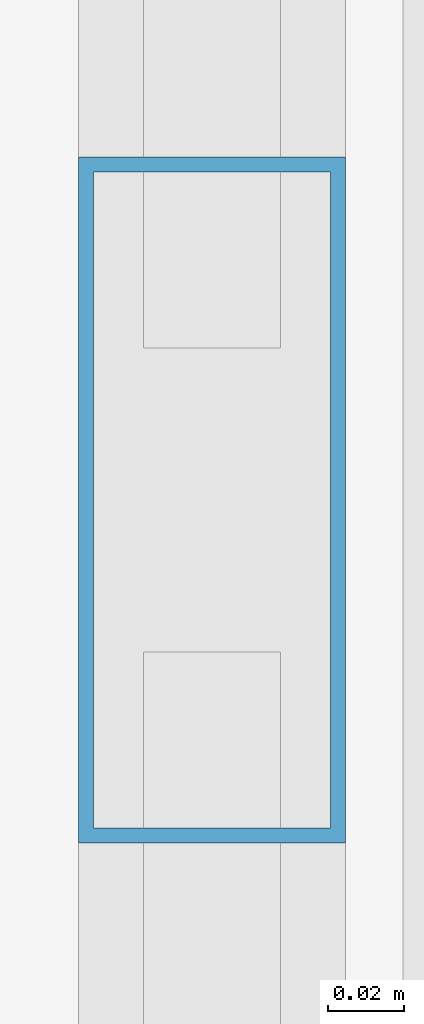
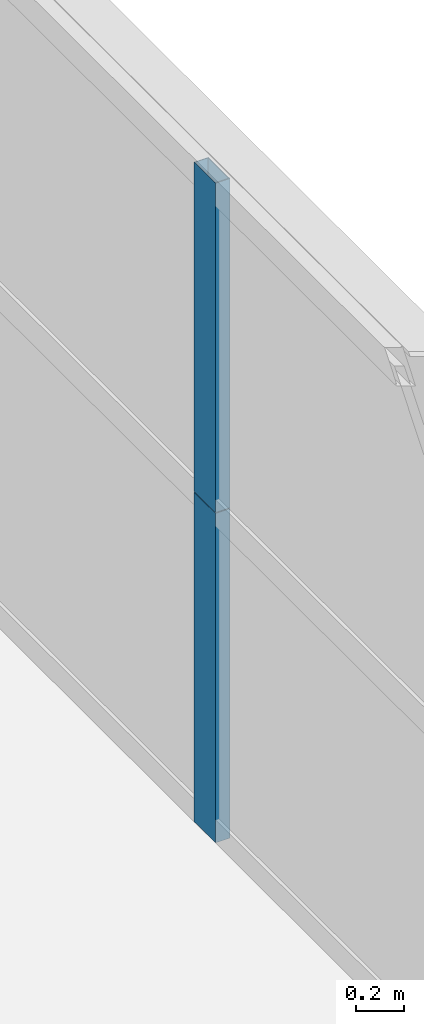
# One storey, part 18 of 39: 2 members, 1 element without a shape of its own.
"""IFC4 building model written with IfcOpenShell, lengths in metres."""

import ifcopenshell
import ifcopenshell.guid

model = None  # the IFC model being written
_history = None  # IfcOwnerHistory: only IFC2X3 demands one
_inside = {}  # id of a spatial element -> (the spatial element, [elements in it])
_under = {}  # id of a project, library or spatial element -> (it, [spatial elements below it])
_declared = {}  # id of a project -> (the project, [libraries it declares])
_typed = {}  # id of a type object -> (the type object, [elements of that type])
_made_of = {}  # id of a material, layer set ... -> (it, [elements and type objects made of it])


def new_model(schema):
    """Start an empty IFC model of exactly this schema.

    Asked for "IFC4X3", IfcOpenShell would pick the latest addendum, in which some entities
    have other attributes; the version numbers below select the first issue.
    IFC2X3 requires an IfcOwnerHistory on every rooted entity: one is made here for all.
    """
    global model, _history
    if schema == "IFC4X3":
        model = ifcopenshell.file(schema_version=(4, 3, 0, 0))
    else:
        model = ifcopenshell.file(schema=schema)
    _inside.clear()
    _under.clear()
    _declared.clear()
    _typed.clear()
    _made_of.clear()
    _history = None
    if model.schema == "IFC2X3":
        org = make("IfcOrganization", Name="unknown")
        user = make(
            "IfcPersonAndOrganization",
            ThePerson=make("IfcPerson", FamilyName="unknown"),
            TheOrganization=org,
        )
        app = make(
            "IfcApplication",
            ApplicationDeveloper=org,
            Version="unknown",
            ApplicationFullName="unknown",
            ApplicationIdentifier="unknown",
        )
        _history = make(
            "IfcOwnerHistory",
            OwningUser=user,
            OwningApplication=app,
            ChangeAction="ADDED",
            CreationDate=0,
        )
    return model


def make(cls, **values):
    """One entity of the class cls with the attributes given. An attribute that is None is left unset."""
    return model.create_entity(
        cls, **{name: value for name, value in values.items() if value is not None}
    )


def rooted(cls, **values):
    """An entity with a GlobalId (a new one), such as an element, a storey or a relation."""
    return make(cls, GlobalId=ifcopenshell.guid.new(), OwnerHistory=_history, **values)


def si_unit(unit_type, name, prefix=None):
    """IfcSIUnit, for example si_unit("LENGTHUNIT", "METRE", prefix="MILLI")."""
    return make("IfcSIUnit", UnitType=unit_type, Prefix=prefix, Name=name)


def assignment(units):
    """IfcUnitAssignment: the units of a project."""
    return None if units is None else make("IfcUnitAssignment", Units=units)


def point(xyz):
    """IfcCartesianPoint."""
    return None if xyz is None else make("IfcCartesianPoint", Coordinates=xyz)


def direction(xyz):
    """IfcDirection."""
    return None if xyz is None else make("IfcDirection", DirectionRatios=xyz)


def frame(location, z_axis=None, x_axis=None):
    """IfcAxis2Placement3D, a coordinate frame: its origin and axes. An axis left out is left unset."""
    return make(
        "IfcAxis2Placement3D",
        Location=point(location),
        Axis=direction(z_axis),
        RefDirection=direction(x_axis),
    )


def frame_2d(location, x_axis=None):
    """IfcAxis2Placement2D, a coordinate frame in the plane: its origin and x axis."""
    return make(
        "IfcAxis2Placement2D", Location=point(location), RefDirection=direction(x_axis)
    )


def origin():
    """The frame at (0, 0, 0) with its axes left unset."""
    return frame((0.0, 0.0, 0.0))


def origin_2d():
    """The frame at (0, 0) in the plane with its x axis left unset."""
    return frame_2d((0.0, 0.0))


def place(relative_to, where):
    """IfcLocalPlacement: puts the frame where relative to a parent placement (None: the world)."""
    return make(
        "IfcLocalPlacement", PlacementRelTo=relative_to, RelativePlacement=where
    )


def context(
    kind, dimensions, precision=None, world=None, true_north=None, identifier=None
):
    """IfcGeometricRepresentationContext, for example the 3D "Model" context."""
    return make(
        "IfcGeometricRepresentationContext",
        ContextIdentifier=identifier,
        ContextType=kind,
        CoordinateSpaceDimension=dimensions,
        Precision=precision,
        WorldCoordinateSystem=world,
        TrueNorth=true_north,
    )


def subcontext(parent, identifier, kind, view, scale=None):
    """IfcGeometricRepresentationSubContext, for example "Body" below "Model"."""
    return make(
        "IfcGeometricRepresentationSubContext",
        ContextIdentifier=identifier,
        ContextType=kind,
        ParentContext=parent,
        TargetScale=scale,
        TargetView=view,
    )


def project(units=None, contexts=None):
    """IfcProject with its units and contexts."""
    return rooted(
        "IfcProject",
        Name="project",
        RepresentationContexts=contexts,
        UnitsInContext=assignment(units),
    )


def spatial(cls, under=None, at=None, **own):
    """A site, building, storey or space (cls), placed at a placement, below another one or the project."""
    s = rooted(cls, ObjectPlacement=at, **own)
    if under is not None:
        _under.setdefault(under.id(), (under, []))[1].append(s)
    return s


def profile(cls, at=None, kind="AREA", **sizes):
    """A parametric profile (cls). Its sizes go by their IFC names, for example OverallWidth=200.0."""
    return make(cls, ProfileType=kind, Position=at, **sizes)


def hollow_rectangle(**sizes):
    """IfcRectangleHollowProfileDef."""
    return profile("IfcRectangleHollowProfileDef", **sizes)


def extrude(swept, where, along, depth):
    """IfcExtrudedAreaSolid: the profile swept, set in the frame where, extruded along a direction by depth."""
    return make(
        "IfcExtrudedAreaSolid",
        SweptArea=swept,
        Position=where,
        ExtrudedDirection=direction(along),
        Depth=depth,
    )


def shape(context_of_items, identifier, shape_type, items):
    """IfcShapeRepresentation: the items that make up one representation, for example the "Body"."""
    return make(
        "IfcShapeRepresentation",
        ContextOfItems=context_of_items,
        RepresentationIdentifier=identifier,
        RepresentationType=shape_type,
        Items=items,
    )


def source(mapping_origin, context_of_items, identifier, shape_type, items):
    """IfcRepresentationMap: a shape defined once, which mapped items show again and again."""
    return make(
        "IfcRepresentationMap",
        MappingOrigin=mapping_origin,
        MappedRepresentation=shape(context_of_items, identifier, shape_type, items),
    )


def transform(
    local_origin,
    x_axis=None,
    y_axis=None,
    z_axis=None,
    scale=None,
    scale2=None,
    scale3=None,
    uniform=True,
):
    """IfcCartesianTransformationOperator3D, or its non-uniform kind. x_axis, y_axis, z_axis: its Axis1, 2, 3."""
    if uniform:
        return make(
            "IfcCartesianTransformationOperator3D",
            Axis1=direction(x_axis),
            Axis2=direction(y_axis),
            LocalOrigin=point(local_origin),
            Scale=scale,
            Axis3=direction(z_axis),
        )
    return make(
        "IfcCartesianTransformationOperator3DnonUniform",
        Axis1=direction(x_axis),
        Axis2=direction(y_axis),
        LocalOrigin=point(local_origin),
        Scale=scale,
        Axis3=direction(z_axis),
        Scale2=scale2,
        Scale3=scale3,
    )


def mapped(mapping_source, mapping_target):
    """IfcMappedItem: shows the shape of a source again, moved by a transform."""
    return make(
        "IfcMappedItem", MappingSource=mapping_source, MappingTarget=mapping_target
    )


def material(Name=None, Category=None):
    """IfcMaterial."""
    return make("IfcMaterial", Name=Name, Category=Category)


def layer(
    of_material, thickness, ventilated=None, Name=None, Category=None, Priority=None
):
    """IfcMaterialLayer: one layer of a wall or slab, of a material (None: an air gap)."""
    return make(
        "IfcMaterialLayer",
        Material=of_material,
        LayerThickness=thickness,
        IsVentilated=ventilated,
        Name=Name,
        Category=Category,
        Priority=Priority,
    )


def layer_set(layers, Name=None):
    """IfcMaterialLayerSet."""
    return make("IfcMaterialLayerSet", MaterialLayers=layers, LayerSetName=Name)


def material_profile(
    of_material, cross_section, Name=None, Category=None, Priority=None
):
    """IfcMaterialProfile: a cross section and its material."""
    return make(
        "IfcMaterialProfile",
        Name=Name,
        Material=of_material,
        Profile=cross_section,
        Priority=Priority,
        Category=Category,
    )


def profile_set(profiles, Name=None, composite=None):
    """IfcMaterialProfileSet."""
    return make(
        "IfcMaterialProfileSet",
        Name=Name,
        MaterialProfiles=profiles,
        CompositeProfile=composite,
    )


def made_of(thing, what):
    """Note that an element or type object is made of a material, layer set ...; save() writes the relation."""
    if what is not None:
        _made_of.setdefault(what.id(), (what, []))[1].append(thing)
    return thing


def type_object(cls, material=None, **own):
    """A type object (cls), such as IfcWallType, which elements share."""
    return made_of(rooted(cls, **own), material)


def element(
    cls,
    number,
    at=None,
    inside=None,
    cuts=None,
    type_object=None,
    material=None,
    context=None,
    identifier="Body",
    shape_type=None,
    held_by="IfcProductDefinitionShape",
    body=None,
    shapes=None,
    **own,
):
    """One element of the class cls, such as IfcWall. Its Tag is "e" and its number.

    at: its placement. inside: the storey or other place that contains it. cuts: it is an
    opening in that element (IfcRelVoidsElement). A single representation is given by context,
    identifier, shape_type and body (its items); several are given by shapes. held_by: the class
    of the entity that holds the representations. save() writes the other relations.
    """
    e = rooted(cls, Tag="e%d" % number, ObjectPlacement=at, **own)
    if body is not None:
        shapes = [shape(context, identifier, shape_type, body)]
    if shapes is not None:
        e.Representation = make(held_by, Representations=shapes)
    if inside is not None:
        _inside.setdefault(inside.id(), (inside, []))[1].append(e)
    if cuts is not None:
        rooted(
            "IfcRelVoidsElement", RelatingBuildingElement=cuts, RelatedOpeningElement=e
        )
    if type_object is not None:
        _typed.setdefault(type_object.id(), (type_object, []))[1].append(e)
    return made_of(e, material)


def aggregate(whole, parts):
    """IfcRelAggregates: a whole, such as a stair, and the parts it consists of."""
    return rooted("IfcRelAggregates", RelatingObject=whole, RelatedObjects=parts)


def save(model, path):
    """Write the relations noted so far, then the file.

    IfcRelAggregates (storeys below a building ...), IfcRelContainedInSpatialStructure (elements
    in a storey), IfcRelDefinesByType, IfcRelAssociatesMaterial and IfcRelDeclares: one each for
    every whole, place, type object, material and project.
    """
    for whole, parts in _under.values():
        aggregate(whole, parts)
    for where, things in _inside.values():
        rooted(
            "IfcRelContainedInSpatialStructure",
            RelatedElements=things,
            RelatingStructure=where,
        )
    for kind, things in _typed.values():
        rooted("IfcRelDefinesByType", RelatedObjects=things, RelatingType=kind)
    for what, things in _made_of.values():
        rooted("IfcRelAssociatesMaterial", RelatedObjects=things, RelatingMaterial=what)
    for by, libraries in _declared.values():
        rooted("IfcRelDeclares", RelatingContext=by, RelatedDefinitions=libraries)
    model.write(path)


model = new_model("IFC4")

# Units and contexts
model_context = context("Model", 3, precision=1e-05, world=origin(), true_north=direction((0.0, 1.0)))
body_context = subcontext(model_context, "Body", "Model", "MODEL_VIEW")
ifc_project = project(units=[si_unit("LENGTHUNIT", "METRE"), si_unit("AREAUNIT", "SQUARE_METRE"), si_unit("VOLUMEUNIT", "CUBIC_METRE"), si_unit("PLANEANGLEUNIT", "RADIAN"), si_unit("MASSUNIT", "GRAM", prefix="KILO"), si_unit("THERMODYNAMICTEMPERATUREUNIT", "KELVIN"), si_unit("POWERUNIT", "WATT")], contexts=[model_context])

# Site, building, storey
site_placement = place(None, origin())
site = spatial("IfcSite", under=ifc_project, at=site_placement, CompositionType="ELEMENT")
building_placement = place(site_placement, origin())
building = spatial("IfcBuilding", under=site, at=building_placement, Name="Yuzanri Waterfront Tower", CompositionType="ELEMENT")
storey_placement = place(building_placement, frame((0.0, 0.0, 134.39990234375)))
storey = spatial("IfcBuildingStorey", under=building, at=storey_placement, Name="L35", CompositionType="ELEMENT", Elevation=134.39990234375)

# Curtain wall, members
ifc_material_1 = material(Name="Anodized Architectural Bronze", Category="metal")
ifc_layer = layer(ifc_material_1, 0.159912109375)
ifc_layer_set = layer_set([ifc_layer], Name="Anodized Architectural Bronze")
curtain_wall_type = type_object("IfcCurtainWallType", Name="Anodized Bronze Hotel Upper-Tier Solar-Control Unitized Curtain Wall 7800", PredefinedType="NOTDEFINED", material=ifc_layer_set)
curtain_wall_placement = place(storey_placement, origin())
curtain_wall = element("IfcCurtainWall", 1, at=curtain_wall_placement, inside=storey, type_object=curtain_wall_type, Name="L35 Curtain Wall CW-L35-EL", PredefinedType="NOTDEFINED")
ifc_material_2 = material(Name="Anodized Architectural Bronze", Category="metal")
ifc_material_profile = material_profile(ifc_material_2, hollow_rectangle(XDim=0.070068359375, YDim=0.179931640625, WallThickness=0.00390625, at=origin_2d()), Name="CWM 70x180")
ifc_profile_set = profile_set([ifc_material_profile], Name="Anodized Architectural Bronze")
member_type = type_object("IfcMemberType", Name="Anodized Bronze Standard Curtain-Wall Mullion 70x180", PredefinedType="MULLION", material=ifc_profile_set)
shared_shape = source(origin(), body_context, "Body", "SweptSolid", [
    extrude(hollow_rectangle(XDim=0.070068359375, YDim=0.179931640625, WallThickness=0.00390625, at=origin_2d()), origin(), (0.0, 0.0, 1.0), 1.68798828125),
])
member_1_placement = place(storey_placement, frame((60.449951171875, 17.449951171875, 0.0), z_axis=(0.0, 0.0, 1.0), x_axis=(1.0, 0.0, 0.0)))
member_1 = element("IfcMember", 2, at=member_1_placement, type_object=member_type, Name="CW-L35-EL Lower Mullion 01", PredefinedType="MULLION", context=body_context, shape_type="MappedRepresentation", body=[
    mapped(shared_shape, transform((0.0, 0.0, 0.0), scale=1.0)),
])
member_2_placement = place(storey_placement, frame((60.449951171875, 17.449951171875, 1.692138671875), z_axis=(0.0, 0.0, 1.0), x_axis=(1.0, 0.0, 0.0)))
member_2 = element("IfcMember", 3, at=member_2_placement, type_object=member_type, Name="CW-L35-EL Upper Mullion 01", PredefinedType="MULLION", context=body_context, shape_type="MappedRepresentation", body=[
    mapped(shared_shape, transform((0.0, 0.0, 0.0), scale=1.0)),
])
aggregate(curtain_wall, [member_1, member_2])

save(model, "model.ifc")
